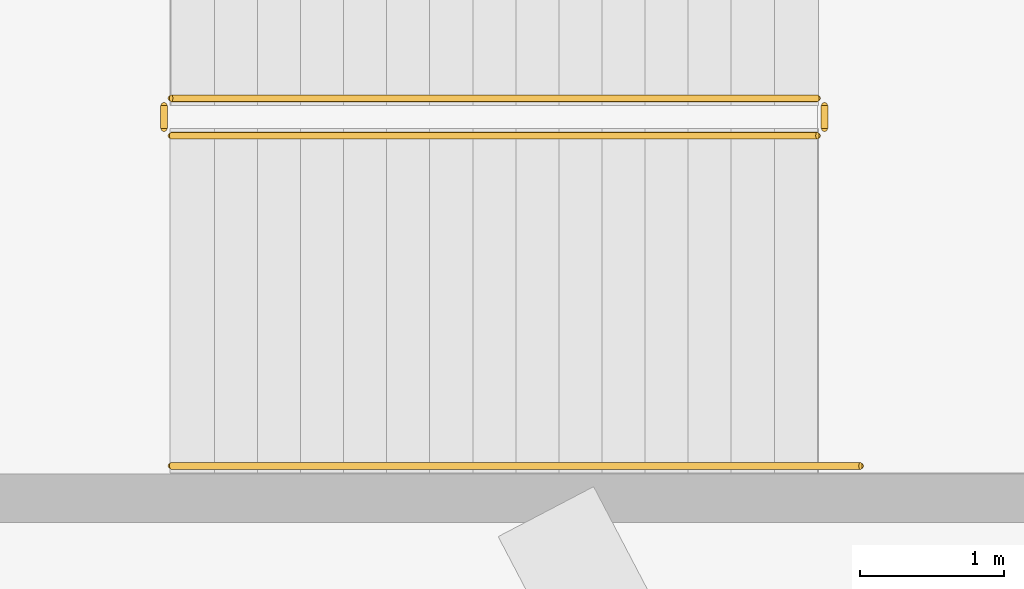
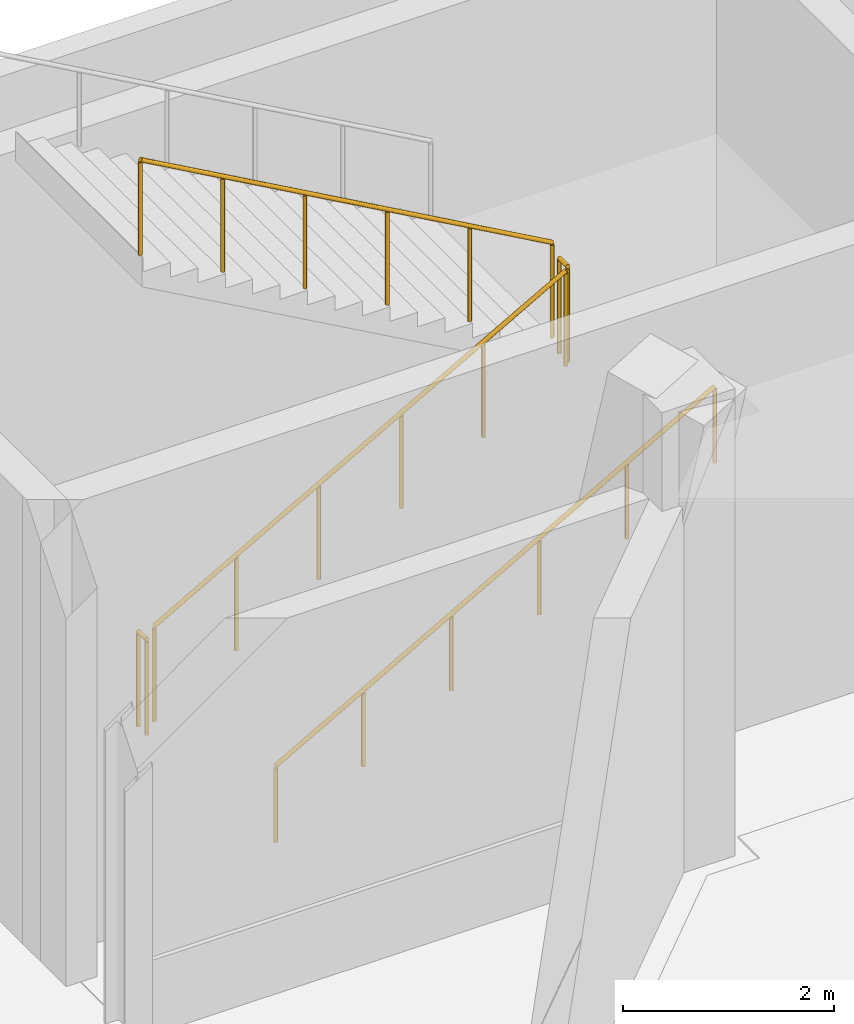
# One storey, part 100 of 124: 5 railings.
"""IFC4 building model written with IfcOpenShell, lengths in metres."""

from ifc_helpers import new_model, si_unit, direction, frame, origin, origin_2d, place, context, subcontext, project, spatial, circle, extrude, material, type_object, element, save


model = new_model("IFC4")

# Units and contexts
model_context = context("Model", 3, precision=1e-05, world=origin(), true_north=direction((0.0, 1.0)))
body_context = subcontext(model_context, "Body", "Model", "MODEL_VIEW")
ifc_project = project(units=[si_unit("LENGTHUNIT", "METRE"), si_unit("AREAUNIT", "SQUARE_METRE"), si_unit("VOLUMEUNIT", "CUBIC_METRE"), si_unit("PLANEANGLEUNIT", "RADIAN"), si_unit("MASSUNIT", "GRAM", prefix="KILO")], contexts=[model_context])

# Site, building, storey
site_placement = place(None, origin())
site = spatial("IfcSite", under=ifc_project, at=site_placement, CompositionType="ELEMENT")
building_placement = place(site_placement, origin())
building = spatial("IfcBuilding", under=site, at=building_placement, Name="Mersafa Astral City Hall", CompositionType="ELEMENT")
storey_placement = place(building_placement, origin())
storey = spatial("IfcBuildingStorey", under=building, at=storey_placement, Name="L00", CompositionType="ELEMENT", Elevation=0.0)

# Railings
ifc_material_1 = material(Name="Painted architectural steel stair guard balustrade", Category="steel")
railing_type_1 = type_object("IfcRailingType", Name="GUARD-RAIL", PredefinedType="BALUSTRADE", material=ifc_material_1)
railing_1_placement = place(storey_placement, frame((69.830078125, 29.27001953125, 0.168701171875)))
element("IfcRailing", 1, at=railing_1_placement, inside=storey, type_object=railing_type_1, Name="L00 ST7 stair guard 1", PredefinedType="BALUSTRADE", context=body_context, shape_type="SweptSolid", body=[
    extrude(circle(Radius=0.02392578125, at=origin_2d()), frame((0.0, 0.0, 1.09619140625), z_axis=(0.871575537125, 0.0, 0.490261239633), x_axis=(0.0, 1.0, 0.0)), (0.0, 0.0, 1.0), 5.1630859375),
    extrude(circle(Radius=0.02099609375, at=origin_2d()), origin(), (0.0, 0.0, 1.0), 1.072021484375),
    extrude(circle(Radius=0.02099609375, at=origin_2d()), frame((0.89990234375, 0.0, 0.50634765625)), (0.0, 0.0, 1.0), 1.072021484375),
    extrude(circle(Radius=0.02099609375, at=origin_2d()), frame((1.800048828125, 0.0, 1.012451171875)), (0.0, 0.0, 1.0), 1.072021484375),
    extrude(circle(Radius=0.02099609375, at=origin_2d()), frame((2.699951171875, 0.0, 1.518798828125)), (0.0, 0.0, 1.0), 1.072021484375),
    extrude(circle(Radius=0.02099609375, at=origin_2d()), frame((3.60009765625, 0.0, 2.02490234375)), (0.0, 0.0, 1.0), 1.072021484375),
    extrude(circle(Radius=0.02099609375, at=origin_2d()), frame((4.5, 0.0, 2.53125)), (0.0, 0.0, 1.0), 1.072021484375),
])
railing_2_placement = place(storey_placement, frame((74.3798828125, 29.320068359375, 2.699951171875)))
element("IfcRailing", 2, at=railing_2_placement, inside=storey, type_object=railing_type_1, Name="L00 ST7 stair guard 2", PredefinedType="BALUSTRADE", context=body_context, shape_type="SweptSolid", body=[
    extrude(circle(Radius=0.02392578125, at=origin_2d()), frame((0.0, 0.0, 1.09619140625), z_axis=(0.0, 1.0, 0.0), x_axis=(-1.0, 0.0, 0.0)), (0.0, 0.0, 1.0), 0.159912109375),
    extrude(circle(Radius=0.02099609375, at=origin_2d()), origin(), (0.0, 0.0, 1.0), 1.072021484375),
    extrude(circle(Radius=0.02099609375, at=origin_2d()), frame((0.0, 0.159912109375, 0.0)), (0.0, 0.0, 1.0), 1.072021484375),
])
railing_3_placement = place(storey_placement, frame((74.330078125, 29.530029296875, 2.86865234375)))
element("IfcRailing", 3, at=railing_3_placement, inside=storey, type_object=railing_type_1, Name="L00 ST7 stair guard 3", PredefinedType="BALUSTRADE", context=body_context, shape_type="SweptSolid", body=[
    extrude(circle(Radius=0.02392578125, at=origin_2d()), frame((0.0, 0.0, 1.09619140625), z_axis=(-0.871575537125, 0.0, 0.490261239633), x_axis=(0.0, -1.0, 0.0)), (0.0, 0.0, 1.0), 5.1630859375),
    extrude(circle(Radius=0.02099609375, at=origin_2d()), origin(), (0.0, 0.0, 1.0), 1.072021484375),
    extrude(circle(Radius=0.02099609375, at=origin_2d()), frame((-0.89990234375, 0.0, 0.50634765625)), (0.0, 0.0, 1.0), 1.072021484375),
    extrude(circle(Radius=0.02099609375, at=origin_2d()), frame((-1.800048828125, 0.0, 1.012451171875)), (0.0, 0.0, 1.0), 1.072021484375),
    extrude(circle(Radius=0.02099609375, at=origin_2d()), frame((-2.699951171875, 0.0, 1.518798828125)), (0.0, 0.0, 1.0), 1.072021484375),
    extrude(circle(Radius=0.02099609375, at=origin_2d()), frame((-3.60009765625, 0.0, 2.02490234375)), (0.0, 0.0, 1.0), 1.072021484375),
    extrude(circle(Radius=0.02099609375, at=origin_2d()), frame((-4.5, 0.0, 2.53125)), (0.0, 0.0, 1.0), 1.072021484375),
])
railing_4_placement = place(storey_placement, frame((69.780029296875, 29.320068359375, 0.0)))
element("IfcRailing", 4, at=railing_4_placement, inside=storey, type_object=railing_type_1, Name="L00 ST7 stair guard 4", PredefinedType="BALUSTRADE", context=body_context, shape_type="SweptSolid", body=[
    extrude(circle(Radius=0.02392578125, at=origin_2d()), frame((0.0, 0.0, 1.09619140625), z_axis=(0.0, 1.0, 0.0), x_axis=(-1.0, 0.0, 0.0)), (0.0, 0.0, 1.0), 0.159912109375),
    extrude(circle(Radius=0.02099609375, at=origin_2d()), origin(), (0.0, 0.0, 1.0), 1.072021484375),
    extrude(circle(Radius=0.02099609375, at=origin_2d()), frame((0.0, 0.159912109375, 0.0)), (0.0, 0.0, 1.0), 1.072021484375),
])
ifc_material_2 = material(Name="Brushed stainless steel tubular handrail", Category="steel")
railing_type_2 = type_object("IfcRailingType", Name="HANDRAIL", PredefinedType="HANDRAIL", material=ifc_material_2)
railing_5_placement = place(storey_placement, frame((69.830078125, 26.969970703125, 0.168701171875)))
element("IfcRailing", 5, at=railing_5_placement, inside=storey, type_object=railing_type_2, Name="L00 ST7 stair handrail 1", PredefinedType="HANDRAIL", context=body_context, shape_type="SweptSolid", body=[
    extrude(circle(Radius=0.02392578125, at=origin_2d()), frame((0.0, 0.0, 0.8759765625), z_axis=(0.871324497418, 0.0, 0.49070726528), x_axis=(0.0, 1.0, 0.0)), (0.0, 0.0, 1.0), 5.508544921875),
    extrude(circle(Radius=0.02099609375, at=origin_2d()), origin(), (0.0, 0.0, 1.0), 0.851806640625),
    extrude(circle(Radius=0.02099609375, at=origin_2d()), frame((0.9599609375, 0.0, 0.54052734375)), (0.0, 0.0, 1.0), 0.851806640625),
    extrude(circle(Radius=0.02099609375, at=origin_2d()), frame((1.919921875, 0.0, 1.081298828125)), (0.0, 0.0, 1.0), 0.851806640625),
    extrude(circle(Radius=0.02099609375, at=origin_2d()), frame((2.8798828125, 0.0, 1.621826171875)), (0.0, 0.0, 1.0), 0.851806640625),
    extrude(circle(Radius=0.02099609375, at=origin_2d()), frame((3.83984375, 0.0, 2.16259765625)), (0.0, 0.0, 1.0), 0.851806640625),
    extrude(circle(Radius=0.02099609375, at=origin_2d()), frame((4.7998046875, 0.0, 2.703125)), (0.0, 0.0, 1.0), 0.851806640625),
])

save(model, "model.ifc")
